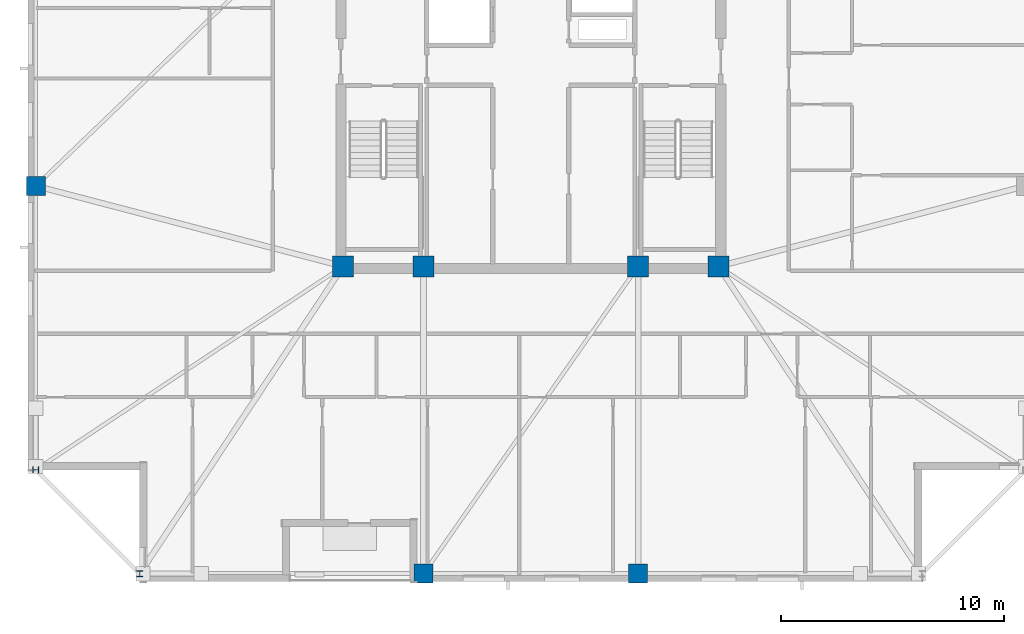
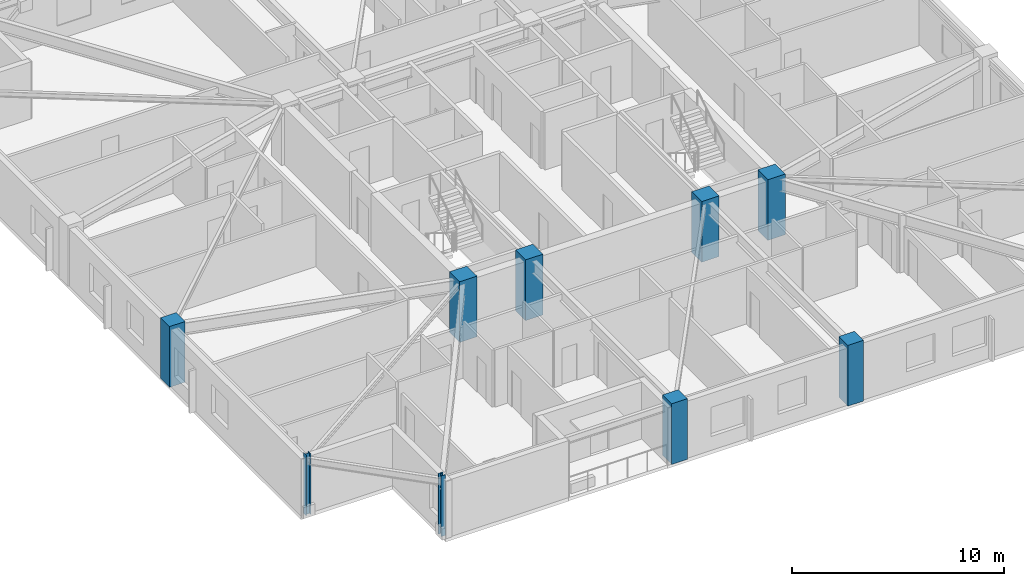
# One storey, part 1 of 15: 9 columns.
"""IFC4 building model written with IfcOpenShell, lengths in metres."""

from ifc_helpers import new_model, si_unit, direction, frame, origin, origin_2d, place, context, subcontext, project, spatial, rectangle, i_section, extrude, material, material_profile, profile_set, type_object, element, save


model = new_model("IFC4")

# Units and contexts
model_context = context("Model", 3, precision=1e-05, world=origin(), true_north=direction((0.0, 1.0)))
body_context = subcontext(model_context, "Body", "Model", "MODEL_VIEW")
ifc_project = project(units=[si_unit("LENGTHUNIT", "METRE"), si_unit("AREAUNIT", "SQUARE_METRE"), si_unit("VOLUMEUNIT", "CUBIC_METRE"), si_unit("PLANEANGLEUNIT", "RADIAN"), si_unit("MASSUNIT", "GRAM", prefix="KILO")], contexts=[model_context])

# Site, building, storey
site_placement = place(None, origin())
site = spatial("IfcSite", under=ifc_project, at=site_placement, CompositionType="ELEMENT")
building_placement = place(site_placement, origin())
building = spatial("IfcBuilding", under=site, at=building_placement, Name="Cairnveth Concourse Tower", CompositionType="ELEMENT")
storey_placement = place(building_placement, frame((0.0, 0.0, 265.5)))
storey = spatial("IfcBuildingStorey", under=building, at=storey_placement, Name="L73", CompositionType="ELEMENT", Elevation=265.5)

# Columns
ifc_material_1 = material(Name="Concrete N65 (65 MPa)", Category="concrete")
ifc_material_profile_1 = material_profile(ifc_material_1, rectangle(XDim=0.949951171875, YDim=0.949951171875, at=origin_2d()), Name="RC-COL-950x950")
ifc_profile_set_1 = profile_set([ifc_material_profile_1], Name="Concrete N65 (65 MPa)")
column_type_1 = type_object("IfcColumnType", Name="CORE COLUMN 950X950", PredefinedType="COLUMN", material=ifc_profile_set_1)
for number, where, z_axis, x_axis, name in (
    (1, (43.60009765625, 30.60009765625, 0.0), (0.0, 0.0, 1.0), (1.0, 0.0, 0.0), "Column CC1 L73"),
    (2, (47.199951171875, 30.60009765625, 0.0), (0.0, 0.0, 1.0), (1.0, 0.0, 0.0), "Column CC2 L73"),
    (3, (56.800048828125, 30.60009765625, 0.0), (0.0, 0.0, 1.0), (1.0, 0.0, 0.0), "Column CC3 L73"),
    (4, (60.39990234375, 30.60009765625, 0.0), (0.0, 0.0, 1.0), (1.0, 0.0, 0.0), "Column CC4 L73"),
):
    element("IfcColumn", number, at=place(storey_placement, frame(where, z_axis=z_axis, x_axis=x_axis)), inside=storey, type_object=column_type_1, Name=name, PredefinedType="COLUMN", context=body_context, shape_type="SweptSolid", body=[
        extrude(rectangle(XDim=0.949951171875, YDim=0.949951171875, at=origin_2d()), origin(), (0.0, 0.0, 1.0), 3.5),
    ])
ifc_material_profile_2 = material_profile(ifc_material_1, rectangle(XDim=0.85009765625, YDim=0.85009765625, at=origin_2d()), Name="RC-COL-850x850")
ifc_profile_set_2 = profile_set([ifc_material_profile_2], Name="Concrete N65 (65 MPa)")
column_type_2 = type_object("IfcColumnType", Name="PERIMETER PIER COLUMN 850X850", PredefinedType="COLUMN", material=ifc_profile_set_2)
for number, where, z_axis, x_axis, name in (
    (5, (47.199951171875, 16.85009765625, 0.0), (0.0, 0.0, 1.0), (1.0, 0.0, 0.0), "Column P-S2 L73"),
    (6, (56.800048828125, 16.85009765625, 0.0), (0.0, 0.0, 1.0), (1.0, 0.0, 0.0), "Column P-S3 L73"),
    (7, (29.85009765625, 34.199951171875, 0.0), (0.0, 0.0, 1.0), (0.0, 1.0, 0.0), "Column P-W3 L73"),
):
    element("IfcColumn", number, at=place(storey_placement, frame(where, z_axis=z_axis, x_axis=x_axis)), inside=storey, type_object=column_type_2, Name=name, PredefinedType="COLUMN", context=body_context, shape_type="SweptSolid", body=[
        extrude(rectangle(XDim=0.85009765625, YDim=0.85009765625, at=origin_2d()), origin(), (0.0, 0.0, 1.0), 3.5),
    ])
ifc_material_2 = material(Name="Steel Grade 350", Category="steel")
ifc_material_profile_3 = material_profile(ifc_material_2, i_section(OverallWidth=0.256103515625, OverallDepth=0.260009765625, WebThickness=0.010498046875, FlangeThickness=0.017333984375, FilletRadius=0.012939453125, at=origin_2d()), Name="250UC89.5")
ifc_profile_set_3 = profile_set([ifc_material_profile_3], Name="Steel Grade 350")
column_type_3 = type_object("IfcColumnType", Name="UNIVERSAL STEEL COLUMN 250UC89.5", PredefinedType="COLUMN", material=ifc_profile_set_3)
for number, where, z_axis, x_axis, name in (
    (8, (34.5, 16.85009765625, 0.0), (0.0, 0.0, 1.0), (1.0, 0.0, 0.0), "Column P-S1 L73"),
    (9, (29.85009765625, 21.5, 0.0), (0.0, 0.0, 1.0), (0.0, 1.0, 0.0), "Column P-W4 L73"),
):
    element("IfcColumn", number, at=place(storey_placement, frame(where, z_axis=z_axis, x_axis=x_axis)), inside=storey, type_object=column_type_3, Name=name, PredefinedType="COLUMN", context=body_context, shape_type="SweptSolid", body=[
        extrude(i_section(OverallWidth=0.256103515625, OverallDepth=0.260009765625, WebThickness=0.010498046875, FlangeThickness=0.017333984375, FilletRadius=0.012939453125, at=origin_2d()), origin(), (0.0, 0.0, 1.0), 3.5),
    ])

save(model, "model.ifc")
